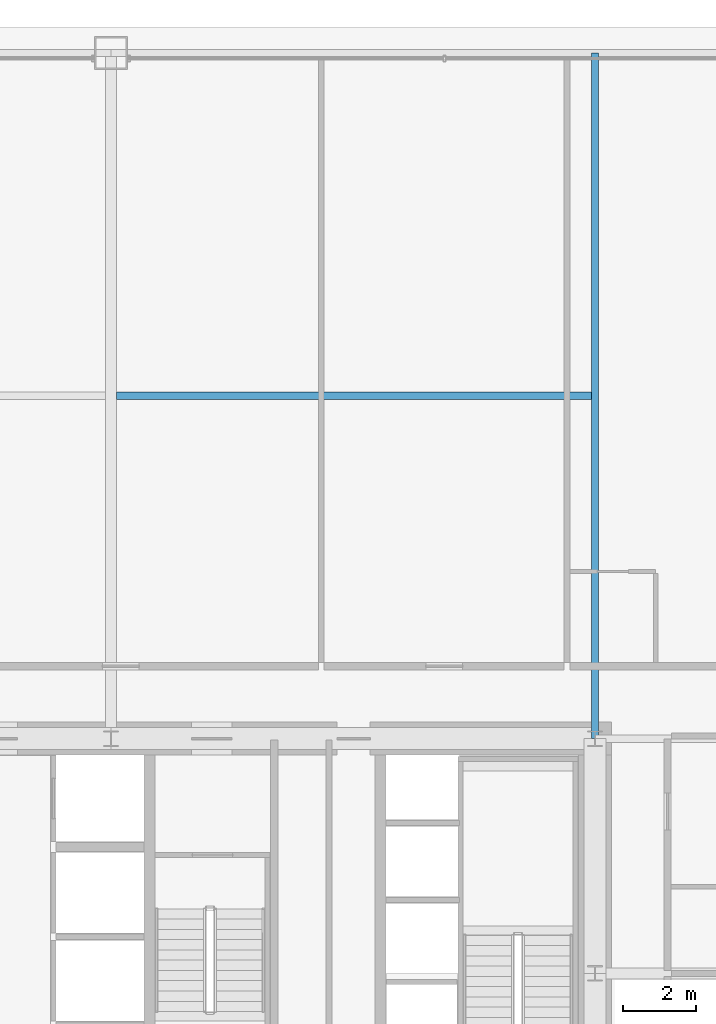
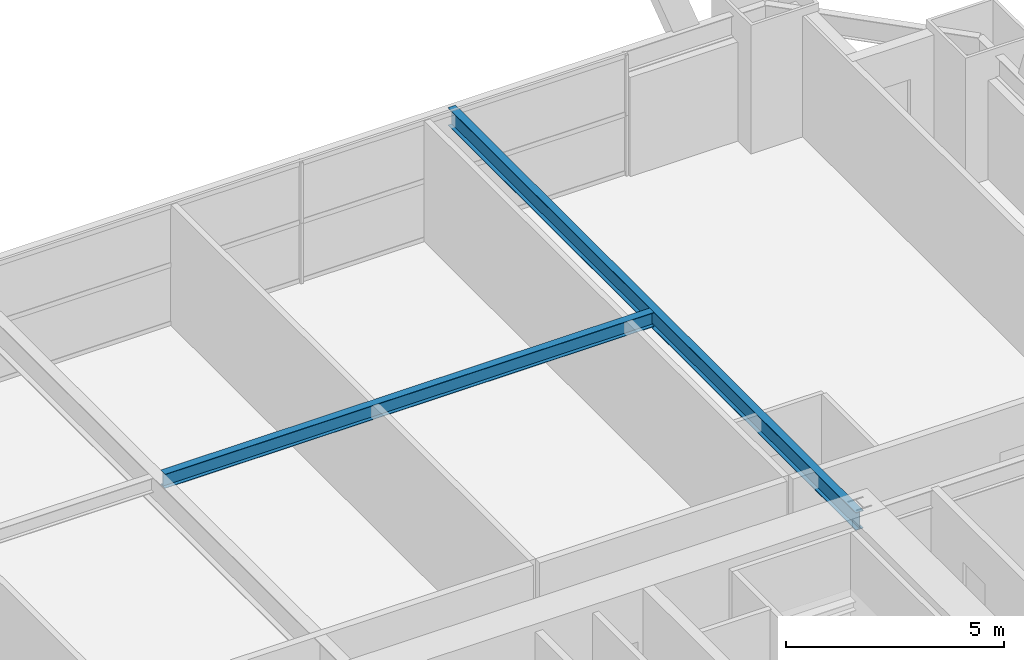
# One storey, part 31 of 43: 2 beams.
"""IFC4 building model written with IfcOpenShell, lengths in metres."""

from ifc_helpers import new_model, si_unit, direction, frame, origin, origin_2d, place, context, subcontext, project, spatial, i_section, extrude, source, transform, mapped, material, material_profile, profile_set, type_object, element, save


model = new_model("IFC4")

# Units and contexts
model_context = context("Model", 3, precision=1e-05, world=origin(), true_north=direction((0.0, 1.0)))
body_context = subcontext(model_context, "Body", "Model", "MODEL_VIEW")
ifc_project = project(units=[si_unit("LENGTHUNIT", "METRE"), si_unit("AREAUNIT", "SQUARE_METRE"), si_unit("VOLUMEUNIT", "CUBIC_METRE"), si_unit("PLANEANGLEUNIT", "RADIAN"), si_unit("MASSUNIT", "GRAM", prefix="KILO"), si_unit("THERMODYNAMICTEMPERATUREUNIT", "KELVIN"), si_unit("POWERUNIT", "WATT")], contexts=[model_context])

# Site, building, storey
site_placement = place(None, origin())
site = spatial("IfcSite", under=ifc_project, at=site_placement, CompositionType="ELEMENT")
building_placement = place(site_placement, origin())
building = spatial("IfcBuilding", under=site, at=building_placement, Name="Yuzanri Waterfront Tower", CompositionType="ELEMENT")
storey_placement = place(building_placement, frame((0.0, 0.0, 60.39990234375)))
storey = spatial("IfcBuildingStorey", under=building, at=storey_placement, Name="L15", CompositionType="ELEMENT", Elevation=60.39990234375)

# Beams
ifc_material_1 = material(Name="Steel Q355B", Category="steel")
ifc_material_profile_1 = material_profile(ifc_material_1, i_section(OverallWidth=0.199951171875, OverallDepth=0.5, WebThickness=0.010009765625, FlangeThickness=0.01611328125, at=origin_2d()), Name="HN 500x200x10x16")
ifc_profile_set_1 = profile_set([ifc_material_profile_1], Name="Steel Q355B")
beam_type_1 = type_object("IfcBeamType", Name="Secondary Floor Beam Q355B HN 500x200", PredefinedType="BEAM", material=ifc_profile_set_1)
shared_shape_1 = source(origin(), body_context, "Body", "SweptSolid", [
    extrude(i_section(OverallWidth=0.199951171875, OverallDepth=0.5, WebThickness=0.010009765625, FlangeThickness=0.01611328125, at=origin_2d()), origin(), (0.0, 0.0, 1.0), 18.699951171875),
])
beam_1_placement = place(storey_placement, frame((50.199951171875, 32.199951171875, 3.130126953125), z_axis=(0.0, 1.0, 0.0), x_axis=(-1.0, 0.0, 0.0)))
element("IfcBeam", 1, at=beam_1_placement, inside=storey, type_object=beam_type_1, Name="L15 North-East Core Line Beam", PredefinedType="BEAM", context=body_context, shape_type="MappedRepresentation", body=[
    mapped(shared_shape_1, transform((0.0, 0.0, 0.0), scale=1.0)),
])
ifc_material_2 = material(Name="Steel Q355B", Category="steel")
ifc_material_profile_2 = material_profile(ifc_material_2, i_section(OverallWidth=0.199951171875, OverallDepth=0.39990234375, WebThickness=0.008056640625, FlangeThickness=0.012939453125, at=origin_2d()), Name="HN 400x200x8x13")
ifc_profile_set_2 = profile_set([ifc_material_profile_2], Name="Steel Q355B")
beam_type_2 = type_object("IfcBeamType", Name="Floor Joist Q355B HN 400x200", PredefinedType="JOIST", material=ifc_profile_set_2)
shared_shape_2 = source(origin(), body_context, "Body", "SweptSolid", [
    extrude(i_section(OverallWidth=0.199951171875, OverallDepth=0.39990234375, WebThickness=0.008056640625, FlangeThickness=0.012939453125, at=origin_2d()), origin(), (0.0, 0.0, 1.0), 12.9501953125),
])
beam_2_placement = place(storey_placement, frame((37.14990234375, 41.550048828125, 3.18017578125), z_axis=(1.0, 0.0, 0.0), x_axis=(0.0, 1.0, 0.0)))
element("IfcBeam", 2, at=beam_2_placement, inside=storey, type_object=beam_type_2, Name="L15 North Bay Joist E", PredefinedType="JOIST", context=body_context, shape_type="MappedRepresentation", body=[
    mapped(shared_shape_2, transform((0.0, 0.0, 0.0), scale=1.0)),
])

save(model, "model.ifc")
